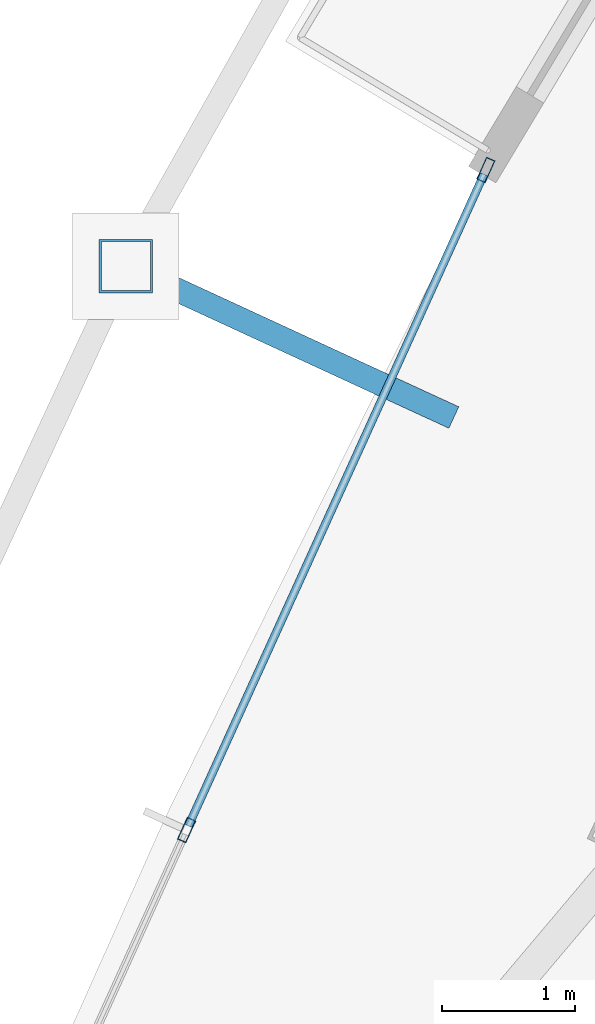
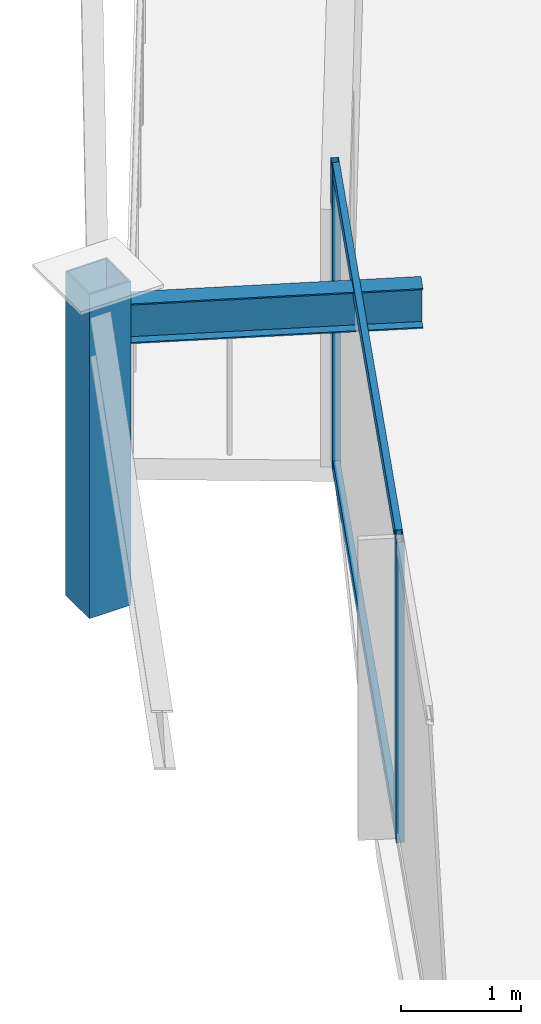
# One storey, part 10 of 29: 5 members, 1 beam, 1 element without a shape of its own.
"""IFC4 building model written with IfcOpenShell, lengths in metres."""

from ifc_helpers import new_model, si_unit, direction, frame, origin, origin_2d, place, context, subcontext, project, spatial, hollow_rectangle, i_section, extrude, material, layer, layer_set, material_profile, profile_set, type_object, element, aggregate, save


model = new_model("IFC4")

# Units and contexts
model_context = context("Model", 3, precision=1e-05, world=origin(), true_north=direction((0.0, 1.0)))
body_context = subcontext(model_context, "Body", "Model", "MODEL_VIEW")
ifc_project = project(units=[si_unit("LENGTHUNIT", "METRE"), si_unit("AREAUNIT", "SQUARE_METRE"), si_unit("VOLUMEUNIT", "CUBIC_METRE"), si_unit("PLANEANGLEUNIT", "RADIAN"), si_unit("MASSUNIT", "GRAM", prefix="KILO")], contexts=[model_context])

# Site, building, storey
site_placement = place(None, origin())
site = spatial("IfcSite", under=ifc_project, at=site_placement, CompositionType="ELEMENT")
building_placement = place(site_placement, origin())
building = spatial("IfcBuilding", under=site, at=building_placement, Name="Orvanel Arch Residences", CompositionType="ELEMENT")
storey_placement = place(building_placement, frame((0.0, 0.0, 167.14990234375)))
storey = spatial("IfcBuildingStorey", under=building, at=storey_placement, Name="L47", CompositionType="ELEMENT", Elevation=167.14990234375)

# Curtain wall, members
ifc_material_1 = material(Name="Bronze-anodised aluminium AA6063-T6", Category="aluminium")
ifc_layer = layer(ifc_material_1, 0.179931640625)
ifc_layer_set = layer_set([ifc_layer], Name="Bronze-anodised aluminium AA6063-T6")
curtain_wall_type = type_object("IfcCurtainWallType", Name="CW3-MID-SYS", PredefinedType="NOTDEFINED", material=ifc_layer_set)
curtain_wall_placement = place(storey_placement, origin())
curtain_wall = element("IfcCurtainWall", 1, at=curtain_wall_placement, inside=storey, type_object=curtain_wall_type, Name="L47 CW3-MID-SYS Unitised Curtain Wall", PredefinedType="NOTDEFINED")
ifc_material_profile_1 = material_profile(ifc_material_1, hollow_rectangle(XDim=0.070068359375, YDim=0.179931640625, WallThickness=0.00439453125, at=origin_2d()), Name="ALU180x70x4.5")
ifc_profile_set_1 = profile_set([ifc_material_profile_1], Name="Bronze-anodised aluminium AA6063-T6")
member_type_1 = type_object("IfcMemberType", Name="MUL-180x70", PredefinedType="MULLION", material=ifc_profile_set_1)
member_1_placement = place(storey_placement, frame((15.04052734375, 24.455078125, 0.0), z_axis=(0.0, 0.0, 1.0), x_axis=(0.910745569556, -0.412967925551, 0.0)))
member_1 = element("IfcMember", 2, at=member_1_placement, type_object=member_type_1, Name="CW-S3 mullion 1", PredefinedType="MULLION", context=body_context, shape_type="SweptSolid", body=[
    extrude(hollow_rectangle(XDim=0.070068359375, YDim=0.179931640625, WallThickness=0.00439453125, at=origin_2d()), origin(), (0.0, 0.0, 1.0), 3.06005859375),
])
member_2_placement = place(storey_placement, frame((12.7939453125, 19.500732421875, 0.0), z_axis=(0.0, 0.0, 1.0), x_axis=(0.910745569556, -0.412967925551, 0.0)))
member_2 = element("IfcMember", 3, at=member_2_placement, type_object=member_type_1, Name="CW-S3 mullion 2", PredefinedType="MULLION", context=body_context, shape_type="SweptSolid", body=[
    extrude(hollow_rectangle(XDim=0.070068359375, YDim=0.179931640625, WallThickness=0.00439453125, at=origin_2d()), origin(), (0.0, 0.0, 1.0), 3.06005859375),
])

# Beam
ifc_material_2 = material(Name="Structural steel AS/NZS 3679.1 Grade 300 (300 MPa)", Category="steel")
ifc_material_profile_2 = material_profile(ifc_material_2, i_section(OverallWidth=0.177978515625, OverallDepth=0.406005859375, WebThickness=0.0078125, FlangeThickness=0.0126953125, at=origin_2d()), Name="410UB59.7")
ifc_profile_set_2 = profile_set([ifc_material_profile_2], Name="Structural steel AS/NZS 3679.1 Grade 300 (300 MPa)")
beam_type = type_object("IfcBeamType", Name="OB-410UB-EXT", PredefinedType="SPANDREL", material=ifc_profile_set_2)
beam_placement = place(storey_placement, frame((14.800048828125, 22.596923828125, 2.857177734375), z_axis=(-0.908014715884, 0.418938271989, 0.0), x_axis=(-0.418938271989, -0.908014715884, 0.0)))
element("IfcBeam", 4, at=beam_placement, inside=storey, type_object=beam_type, Name="L47 Outer Frame Radial Tie Beam 03", PredefinedType="SPANDREL", context=body_context, shape_type="SweptSolid", body=[
    extrude(i_section(OverallWidth=0.177978515625, OverallDepth=0.406005859375, WebThickness=0.0078125, FlangeThickness=0.0126953125, at=origin_2d()), origin(), (0.0, 0.0, 1.0), 2.711669921875),
])

# Member
ifc_material_3 = material(Name="Structural steel AS/NZS 1163 C450L0 (Grade 450)", Category="steel")
ifc_material_profile_3 = material_profile(ifc_material_3, hollow_rectangle(XDim=0.39990234375, YDim=0.39990234375, WallThickness=0.01611328125, at=origin_2d()), Name="SHS400x400x16")
ifc_profile_set_3 = profile_set([ifc_material_profile_3], Name="Structural steel AS/NZS 1163 C450L0 (Grade 450)")
member_type_2 = type_object("IfcMemberType", Name="ST-400SHS-EXT", PredefinedType="STRUT", material=ifc_profile_set_3)
member_3_placement = place(storey_placement, frame((12.337890625, 23.73291015625, 0.0), z_axis=(0.0, 0.0, 1.0), x_axis=(1.0, 0.0, 0.0)))
element("IfcMember", 5, at=member_3_placement, inside=storey, type_object=member_type_2, Name="L47 Outer Perimeter Frame Post 03", PredefinedType="STRUT", context=body_context, shape_type="SweptSolid", body=[
    extrude(hollow_rectangle(XDim=0.39990234375, YDim=0.39990234375, WallThickness=0.01611328125, at=origin_2d()), origin(), (0.0, 0.0, 1.0), 3.300048828125),
])

ifc_material_profile_4 = material_profile(ifc_material_1, hollow_rectangle(XDim=0.06005859375, YDim=0.135009765625, WallThickness=0.00390625, at=origin_2d()), Name="ALU135x60x4")
ifc_profile_set_4 = profile_set([ifc_material_profile_4], Name="Bronze-anodised aluminium AA6063-T6")
member_type_3 = type_object("IfcMemberType", Name="TRN-135x60", PredefinedType="USERDEFINED", material=ifc_profile_set_4)
member_4_placement = place(storey_placement, frame((15.026123046875, 24.42333984375, 0.030029296875), z_axis=(-0.41297729539, -0.910741320844, 0.0), x_axis=(0.910741320844, -0.41297729539, 0.0)))
member_4 = element("IfcMember", 6, at=member_4_placement, type_object=member_type_3, Name="CW-S3 transom 1.1", ObjectType="TRANSOM", PredefinedType="USERDEFINED", context=body_context, shape_type="SweptSolid", body=[
    extrude(hollow_rectangle(XDim=0.06005859375, YDim=0.135009765625, WallThickness=0.00390625, at=origin_2d()), origin(), (0.0, 0.0, 1.0), 5.3701171875),
])

member_5_placement = place(storey_placement, frame((15.026123046875, 24.42333984375, 3.030029296875), z_axis=(-0.41297729539, -0.910741320844, 0.0), x_axis=(0.910741320844, -0.41297729539, 0.0)))
member_5 = element("IfcMember", 7, at=member_5_placement, type_object=member_type_3, Name="CW-S3 transom 1.2", ObjectType="TRANSOM", PredefinedType="USERDEFINED", context=body_context, shape_type="SweptSolid", body=[
    extrude(hollow_rectangle(XDim=0.06005859375, YDim=0.135009765625, WallThickness=0.00390625, at=origin_2d()), origin(), (0.0, 0.0, 1.0), 5.3701171875),
])

aggregate(curtain_wall, [member_1, member_2, member_4, member_5])

save(model, "model.ifc")
